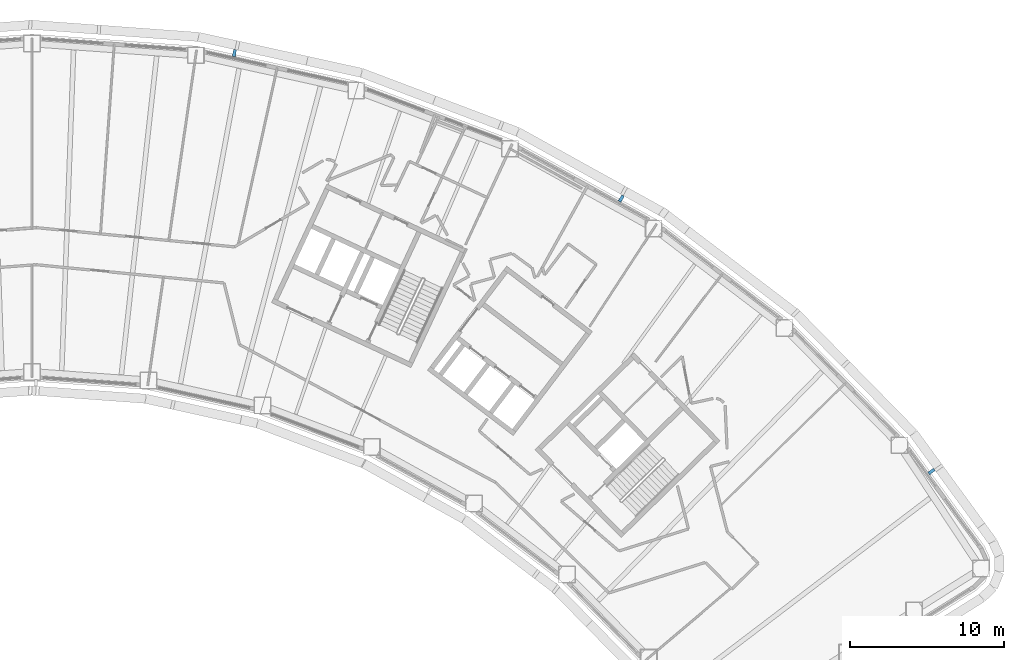
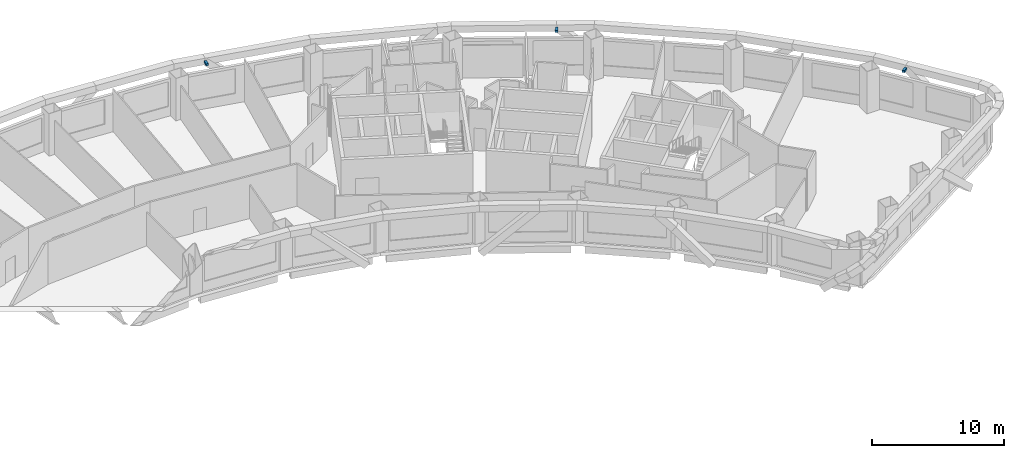
# One storey, part 12 of 16: 3 discrete accessories.
"""IFC4 building model written with IfcOpenShell, lengths in metres."""

from ifc_helpers import new_model, si_unit, direction, frame, origin, origin_2d, place, context, subcontext, project, spatial, rectangle, extrude, material, type_object, element, save


model = new_model("IFC4")

# Units and contexts
model_context = context("Model", 3, precision=1e-05, world=origin(), true_north=direction((0.0, 1.0)))
body_context = subcontext(model_context, "Body", "Model", "MODEL_VIEW")
ifc_project = project(units=[si_unit("LENGTHUNIT", "METRE"), si_unit("AREAUNIT", "SQUARE_METRE"), si_unit("VOLUMEUNIT", "CUBIC_METRE"), si_unit("PLANEANGLEUNIT", "RADIAN"), si_unit("MASSUNIT", "GRAM", prefix="KILO")], contexts=[model_context])

# Site, building, storey
site_placement = place(None, origin())
site = spatial("IfcSite", under=ifc_project, at=site_placement, CompositionType="ELEMENT")
building_placement = place(site_placement, origin())
building = spatial("IfcBuilding", under=site, at=building_placement, Name="Tuul Gate Civic Tower", CompositionType="ELEMENT")
storey_placement = place(building_placement, frame((0.0, 0.0, 124.5)))
storey = spatial("IfcBuildingStorey", under=building, at=storey_placement, Name="Level 28", CompositionType="ELEMENT", Elevation=124.5)

# Discrete accessories
ifc_material = material(Name="Stainless steel", Category="steel")
discrete_accessory_type = type_object("IfcDiscreteAccessoryType", Name="Screen bracket", PredefinedType="BRACKET", material=ifc_material)
for number, where, z_axis, x_axis, name in (
    (1, (68.281005859375, -14.13330078125, 3.75), (0.0, 0.0, 1.0), (0.796415939626, 0.604749246473, 0.0), "Screen bracket 2"),
    (2, (48.12744140625, 3.60205078125, 3.75), (0.0, 0.0, 1.0), (0.514589192581, 0.857436856497, 0.0), "Screen bracket 5"),
    (3, (22.98828125, 13.052490234375, 3.75), (0.0, 0.0, 1.0), (0.176811611988, 0.984244712389, 0.0), "Screen bracket 8"),
):
    element("IfcDiscreteAccessory", number, at=place(storey_placement, frame(where, z_axis=z_axis, x_axis=x_axis)), inside=storey, type_object=discrete_accessory_type, Name=name, PredefinedType="BRACKET", context=body_context, shape_type="SweptSolid", body=[
        extrude(rectangle(XDim=0.4501953125, YDim=0.199951171875, at=origin_2d()), origin(), (0.0, 0.0, 1.0), 0.199951171875),
    ])

save(model, "model.ifc")
